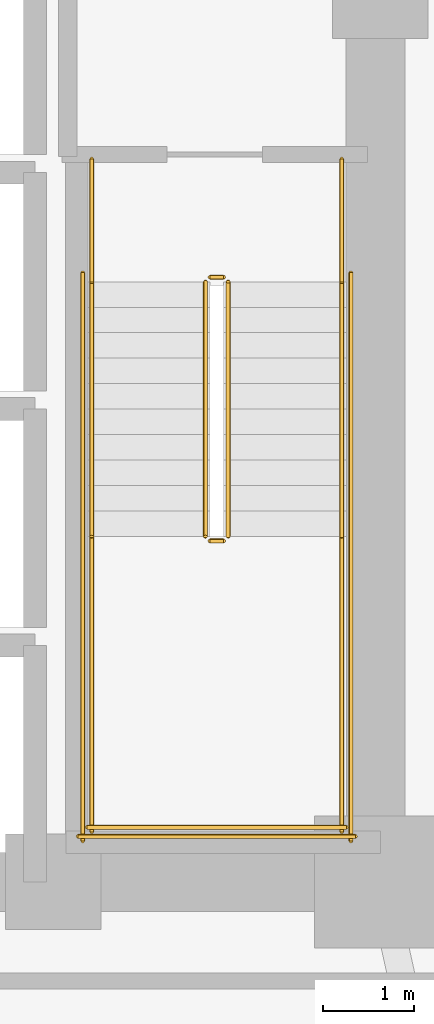
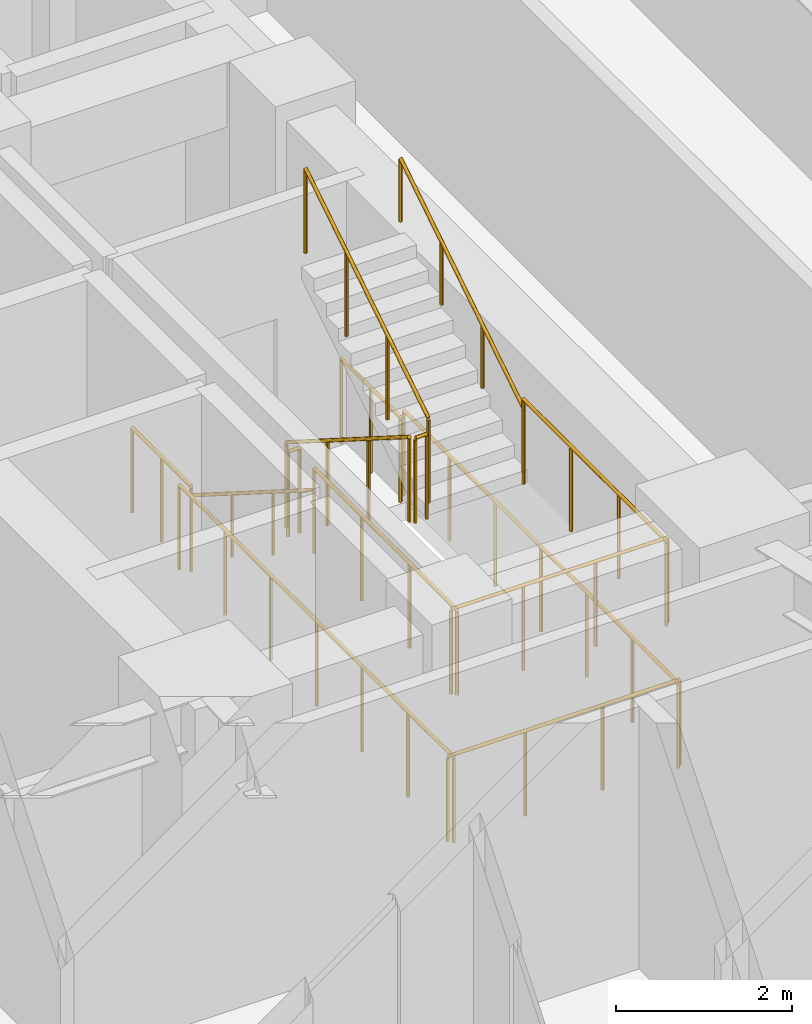
# One storey, part 11 of 11: 14 railings.
"""IFC4 building model written with IfcOpenShell, lengths in metres."""

import ifcopenshell
import ifcopenshell.guid

model = None  # the IFC model being written
_history = None  # IfcOwnerHistory: only IFC2X3 demands one
_inside = {}  # id of a spatial element -> (the spatial element, [elements in it])
_under = {}  # id of a project, library or spatial element -> (it, [spatial elements below it])
_declared = {}  # id of a project -> (the project, [libraries it declares])
_typed = {}  # id of a type object -> (the type object, [elements of that type])
_made_of = {}  # id of a material, layer set ... -> (it, [elements and type objects made of it])


def new_model(schema):
    """Start an empty IFC model of exactly this schema.

    Asked for "IFC4X3", IfcOpenShell would pick the latest addendum, in which some entities
    have other attributes; the version numbers below select the first issue.
    IFC2X3 requires an IfcOwnerHistory on every rooted entity: one is made here for all.
    """
    global model, _history
    if schema == "IFC4X3":
        model = ifcopenshell.file(schema_version=(4, 3, 0, 0))
    else:
        model = ifcopenshell.file(schema=schema)
    _inside.clear()
    _under.clear()
    _declared.clear()
    _typed.clear()
    _made_of.clear()
    _history = None
    if model.schema == "IFC2X3":
        org = make("IfcOrganization", Name="unknown")
        user = make(
            "IfcPersonAndOrganization",
            ThePerson=make("IfcPerson", FamilyName="unknown"),
            TheOrganization=org,
        )
        app = make(
            "IfcApplication",
            ApplicationDeveloper=org,
            Version="unknown",
            ApplicationFullName="unknown",
            ApplicationIdentifier="unknown",
        )
        _history = make(
            "IfcOwnerHistory",
            OwningUser=user,
            OwningApplication=app,
            ChangeAction="ADDED",
            CreationDate=0,
        )
    return model


def make(cls, **values):
    """One entity of the class cls with the attributes given. An attribute that is None is left unset."""
    return model.create_entity(
        cls, **{name: value for name, value in values.items() if value is not None}
    )


def rooted(cls, **values):
    """An entity with a GlobalId (a new one), such as an element, a storey or a relation."""
    return make(cls, GlobalId=ifcopenshell.guid.new(), OwnerHistory=_history, **values)


def si_unit(unit_type, name, prefix=None):
    """IfcSIUnit, for example si_unit("LENGTHUNIT", "METRE", prefix="MILLI")."""
    return make("IfcSIUnit", UnitType=unit_type, Prefix=prefix, Name=name)


def assignment(units):
    """IfcUnitAssignment: the units of a project."""
    return None if units is None else make("IfcUnitAssignment", Units=units)


def point(xyz):
    """IfcCartesianPoint."""
    return None if xyz is None else make("IfcCartesianPoint", Coordinates=xyz)


def direction(xyz):
    """IfcDirection."""
    return None if xyz is None else make("IfcDirection", DirectionRatios=xyz)


def frame(location, z_axis=None, x_axis=None):
    """IfcAxis2Placement3D, a coordinate frame: its origin and axes. An axis left out is left unset."""
    return make(
        "IfcAxis2Placement3D",
        Location=point(location),
        Axis=direction(z_axis),
        RefDirection=direction(x_axis),
    )


def frame_2d(location, x_axis=None):
    """IfcAxis2Placement2D, a coordinate frame in the plane: its origin and x axis."""
    return make(
        "IfcAxis2Placement2D", Location=point(location), RefDirection=direction(x_axis)
    )


def origin():
    """The frame at (0, 0, 0) with its axes left unset."""
    return frame((0.0, 0.0, 0.0))


def origin_2d():
    """The frame at (0, 0) in the plane with its x axis left unset."""
    return frame_2d((0.0, 0.0))


def place(relative_to, where):
    """IfcLocalPlacement: puts the frame where relative to a parent placement (None: the world)."""
    return make(
        "IfcLocalPlacement", PlacementRelTo=relative_to, RelativePlacement=where
    )


def context(
    kind, dimensions, precision=None, world=None, true_north=None, identifier=None
):
    """IfcGeometricRepresentationContext, for example the 3D "Model" context."""
    return make(
        "IfcGeometricRepresentationContext",
        ContextIdentifier=identifier,
        ContextType=kind,
        CoordinateSpaceDimension=dimensions,
        Precision=precision,
        WorldCoordinateSystem=world,
        TrueNorth=true_north,
    )


def subcontext(parent, identifier, kind, view, scale=None):
    """IfcGeometricRepresentationSubContext, for example "Body" below "Model"."""
    return make(
        "IfcGeometricRepresentationSubContext",
        ContextIdentifier=identifier,
        ContextType=kind,
        ParentContext=parent,
        TargetScale=scale,
        TargetView=view,
    )


def project(units=None, contexts=None):
    """IfcProject with its units and contexts."""
    return rooted(
        "IfcProject",
        Name="project",
        RepresentationContexts=contexts,
        UnitsInContext=assignment(units),
    )


def spatial(cls, under=None, at=None, **own):
    """A site, building, storey or space (cls), placed at a placement, below another one or the project."""
    s = rooted(cls, ObjectPlacement=at, **own)
    if under is not None:
        _under.setdefault(under.id(), (under, []))[1].append(s)
    return s


def profile(cls, at=None, kind="AREA", **sizes):
    """A parametric profile (cls). Its sizes go by their IFC names, for example OverallWidth=200.0."""
    return make(cls, ProfileType=kind, Position=at, **sizes)


def circle(**sizes):
    """IfcCircleProfileDef."""
    return profile("IfcCircleProfileDef", **sizes)


def extrude(swept, where, along, depth):
    """IfcExtrudedAreaSolid: the profile swept, set in the frame where, extruded along a direction by depth."""
    return make(
        "IfcExtrudedAreaSolid",
        SweptArea=swept,
        Position=where,
        ExtrudedDirection=direction(along),
        Depth=depth,
    )


def shape(context_of_items, identifier, shape_type, items):
    """IfcShapeRepresentation: the items that make up one representation, for example the "Body"."""
    return make(
        "IfcShapeRepresentation",
        ContextOfItems=context_of_items,
        RepresentationIdentifier=identifier,
        RepresentationType=shape_type,
        Items=items,
    )


def material(Name=None, Category=None):
    """IfcMaterial."""
    return make("IfcMaterial", Name=Name, Category=Category)


def made_of(thing, what):
    """Note that an element or type object is made of a material, layer set ...; save() writes the relation."""
    if what is not None:
        _made_of.setdefault(what.id(), (what, []))[1].append(thing)
    return thing


def type_object(cls, material=None, **own):
    """A type object (cls), such as IfcWallType, which elements share."""
    return made_of(rooted(cls, **own), material)


def element(
    cls,
    number,
    at=None,
    inside=None,
    cuts=None,
    type_object=None,
    material=None,
    context=None,
    identifier="Body",
    shape_type=None,
    held_by="IfcProductDefinitionShape",
    body=None,
    shapes=None,
    **own,
):
    """One element of the class cls, such as IfcWall. Its Tag is "e" and its number.

    at: its placement. inside: the storey or other place that contains it. cuts: it is an
    opening in that element (IfcRelVoidsElement). A single representation is given by context,
    identifier, shape_type and body (its items); several are given by shapes. held_by: the class
    of the entity that holds the representations. save() writes the other relations.
    """
    e = rooted(cls, Tag="e%d" % number, ObjectPlacement=at, **own)
    if body is not None:
        shapes = [shape(context, identifier, shape_type, body)]
    if shapes is not None:
        e.Representation = make(held_by, Representations=shapes)
    if inside is not None:
        _inside.setdefault(inside.id(), (inside, []))[1].append(e)
    if cuts is not None:
        rooted(
            "IfcRelVoidsElement", RelatingBuildingElement=cuts, RelatedOpeningElement=e
        )
    if type_object is not None:
        _typed.setdefault(type_object.id(), (type_object, []))[1].append(e)
    return made_of(e, material)


def aggregate(whole, parts):
    """IfcRelAggregates: a whole, such as a stair, and the parts it consists of."""
    return rooted("IfcRelAggregates", RelatingObject=whole, RelatedObjects=parts)


def save(model, path):
    """Write the relations noted so far, then the file.

    IfcRelAggregates (storeys below a building ...), IfcRelContainedInSpatialStructure (elements
    in a storey), IfcRelDefinesByType, IfcRelAssociatesMaterial and IfcRelDeclares: one each for
    every whole, place, type object, material and project.
    """
    for whole, parts in _under.values():
        aggregate(whole, parts)
    for where, things in _inside.values():
        rooted(
            "IfcRelContainedInSpatialStructure",
            RelatedElements=things,
            RelatingStructure=where,
        )
    for kind, things in _typed.values():
        rooted("IfcRelDefinesByType", RelatedObjects=things, RelatingType=kind)
    for what, things in _made_of.values():
        rooted("IfcRelAssociatesMaterial", RelatedObjects=things, RelatingMaterial=what)
    for by, libraries in _declared.values():
        rooted("IfcRelDeclares", RelatingContext=by, RelatedDefinitions=libraries)
    model.write(path)


model = new_model("IFC4")

# Units and contexts
model_context = context("Model", 3, precision=1e-05, world=origin(), true_north=direction((0.0, 1.0)))
body_context = subcontext(model_context, "Body", "Model", "MODEL_VIEW")
ifc_project = project(units=[si_unit("LENGTHUNIT", "METRE"), si_unit("AREAUNIT", "SQUARE_METRE"), si_unit("VOLUMEUNIT", "CUBIC_METRE"), si_unit("PLANEANGLEUNIT", "RADIAN"), si_unit("MASSUNIT", "GRAM", prefix="KILO")], contexts=[model_context])

# Site, building, storey
site_placement = place(None, origin())
site = spatial("IfcSite", under=ifc_project, at=site_placement, CompositionType="ELEMENT")
building_placement = place(site_placement, origin())
building = spatial("IfcBuilding", under=site, at=building_placement, Name="Voryun Gate Residences", CompositionType="ELEMENT")
storey_placement = place(building_placement, frame((0.0, 0.0, 45.5)))
storey = spatial("IfcBuildingStorey", under=building, at=storey_placement, Name="L10", CompositionType="ELEMENT", Elevation=45.5)

# Railings
ifc_material_1 = material(Name="Painted steel", Category="steel")
railing_type_1 = type_object("IfcRailingType", Name="RAIL_STAIR_GUARD_1200", PredefinedType="GUARDRAIL", material=ifc_material_1)
railing_1_placement = place(storey_placement, frame((17.27490234375, -0.800048828125, 0.17724609375)))
element("IfcRailing", 1, at=railing_1_placement, inside=storey, type_object=railing_type_1, Name="L10 ST-E1 stair guard 1", PredefinedType="GUARDRAIL", context=body_context, shape_type="SweptSolid", body=[
    extrude(circle(Radius=0.02392578125, at=origin_2d()), frame((0.0, 0.0, 1.17578125), z_axis=(0.0, -0.844908973607, 0.534910110503), x_axis=(1.0, 0.0, 0.0)), (0.0, 0.0, 1.0), 3.31396484375),
    extrude(circle(Radius=0.02099609375, at=origin_2d()), origin(), (0.0, 0.0, 1.0), 1.15185546875),
    extrude(circle(Radius=0.02099609375, at=origin_2d()), frame((0.0, -0.933349609375, 0.5908203125)), (0.0, 0.0, 1.0), 1.15185546875),
    extrude(circle(Radius=0.02099609375, at=origin_2d()), frame((0.0, -1.86669921875, 1.181884765625)), (0.0, 0.0, 1.0), 1.15185546875),
    extrude(circle(Radius=0.02099609375, at=origin_2d()), frame((0.0, -2.800048828125, 1.772705078125)), (0.0, 0.0, 1.0), 1.15185546875),
])
railing_2_placement = place(storey_placement, frame((17.324951171875, -3.64990234375, 1.949951171875)))
element("IfcRailing", 2, at=railing_2_placement, inside=storey, type_object=railing_type_1, Name="L10 ST-E1 stair guard 2", PredefinedType="GUARDRAIL", context=body_context, shape_type="SweptSolid", body=[
    extrude(circle(Radius=0.02392578125, at=origin_2d()), frame((0.0, 0.0, 1.17578125), z_axis=(1.0, 0.0, 0.0), x_axis=(0.0, 1.0, 0.0)), (0.0, 0.0, 1.0), 0.150146484375),
    extrude(circle(Radius=0.02099609375, at=origin_2d()), origin(), (0.0, 0.0, 1.0), 1.15185546875),
    extrude(circle(Radius=0.02099609375, at=origin_2d()), frame((0.150146484375, 0.0, 0.0)), (0.0, 0.0, 1.0), 1.15185546875),
])
for number, where, name in (
    (3, (16.02490234375, -3.60009765625, 1.949951171875), "L10 ST-E1 stair guard 3"),
    (4, (18.77490234375, -3.60009765625, 1.949951171875), "L10 ST-E1 stair guard 4"),
):
    element("IfcRailing", number, at=place(storey_placement, frame(where)), inside=storey, type_object=railing_type_1, Name=name, PredefinedType="GUARDRAIL", context=body_context, shape_type="SweptSolid", body=[
        extrude(circle(Radius=0.02392578125, at=origin_2d()), frame((0.0, 0.0, 1.17578125), z_axis=(0.0, -1.0, 0.0), x_axis=(1.0, 0.0, 0.0)), (0.0, 0.0, 1.0), 3.25),
        extrude(circle(Radius=0.02099609375, at=origin_2d()), origin(), (0.0, 0.0, 1.0), 1.15185546875),
        extrude(circle(Radius=0.02099609375, at=origin_2d()), frame((0.0, -1.083251953125, 0.0)), (0.0, 0.0, 1.0), 1.15185546875),
        extrude(circle(Radius=0.02099609375, at=origin_2d()), frame((0.0, -2.166748046875, 0.0)), (0.0, 0.0, 1.0), 1.15185546875),
        extrude(circle(Radius=0.02099609375, at=origin_2d()), frame((0.0, -3.25, 0.0)), (0.0, 0.0, 1.0), 1.15185546875),
    ])
railing_3_placement = place(storey_placement, frame((15.97509765625, -6.800048828125, 1.949951171875)))
element("IfcRailing", 5, at=railing_3_placement, inside=storey, type_object=railing_type_1, Name="L10 ST-E1 stair guard 5", PredefinedType="GUARDRAIL", context=body_context, shape_type="SweptSolid", body=[
    extrude(circle(Radius=0.02392578125, at=origin_2d()), frame((0.0, 0.0, 1.17578125), z_axis=(1.0, 0.0, 0.0), x_axis=(0.0, 1.0, 0.0)), (0.0, 0.0, 1.0), 2.849853515625),
    extrude(circle(Radius=0.02099609375, at=origin_2d()), origin(), (0.0, 0.0, 1.0), 1.15185546875),
    extrude(circle(Radius=0.02099609375, at=origin_2d()), frame((0.949951171875, 0.0, 0.0)), (0.0, 0.0, 1.0), 1.15185546875),
    extrude(circle(Radius=0.02099609375, at=origin_2d()), frame((1.89990234375, 0.0, 0.0)), (0.0, 0.0, 1.0), 1.15185546875),
    extrude(circle(Radius=0.02099609375, at=origin_2d()), frame((2.849853515625, 0.0, 0.0)), (0.0, 0.0, 1.0), 1.15185546875),
])
railing_4_placement = place(storey_placement, frame((17.52490234375, -3.60009765625, 2.127197265625)))
element("IfcRailing", 6, at=railing_4_placement, inside=storey, type_object=railing_type_1, Name="L10 ST-E1 stair guard 6", PredefinedType="GUARDRAIL", context=body_context, shape_type="SweptSolid", body=[
    extrude(circle(Radius=0.02392578125, at=origin_2d()), frame((0.0, 0.0, 1.17578125), z_axis=(0.0, 0.844908973607, 0.534910110503), x_axis=(-1.0, 0.0, 0.0)), (0.0, 0.0, 1.0), 3.31396484375),
    extrude(circle(Radius=0.02099609375, at=origin_2d()), origin(), (0.0, 0.0, 1.0), 1.15185546875),
    extrude(circle(Radius=0.02099609375, at=origin_2d()), frame((0.0, 0.933349609375, 0.5908203125)), (0.0, 0.0, 1.0), 1.15185546875),
    extrude(circle(Radius=0.02099609375, at=origin_2d()), frame((0.0, 1.86669921875, 1.181884765625)), (0.0, 0.0, 1.0), 1.15185546875),
    extrude(circle(Radius=0.02099609375, at=origin_2d()), frame((0.0, 2.800048828125, 1.772705078125)), (0.0, 0.0, 1.0), 1.15185546875),
])
railing_5_placement = place(storey_placement, frame((17.324951171875, -0.75, 0.0)))
element("IfcRailing", 7, at=railing_5_placement, inside=storey, type_object=railing_type_1, Name="L10 ST-E1 stair guard 7", PredefinedType="GUARDRAIL", context=body_context, shape_type="SweptSolid", body=[
    extrude(circle(Radius=0.02392578125, at=origin_2d()), frame((0.0, 0.0, 1.17578125), z_axis=(1.0, 0.0, 0.0), x_axis=(0.0, 1.0, 0.0)), (0.0, 0.0, 1.0), 0.150146484375),
    extrude(circle(Radius=0.02099609375, at=origin_2d()), origin(), (0.0, 0.0, 1.0), 1.15185546875),
    extrude(circle(Radius=0.02099609375, at=origin_2d()), frame((0.150146484375, 0.0, 0.0)), (0.0, 0.0, 1.0), 1.15185546875),
])
for number, where, name in (
    (8, (16.02490234375, 0.550048828125, 0.0), "L10 ST-E1 stair guard 8"),
    (9, (18.77490234375, 0.550048828125, 0.0), "L10 ST-E1 stair guard 9"),
):
    element("IfcRailing", number, at=place(storey_placement, frame(where)), inside=storey, type_object=railing_type_1, Name=name, PredefinedType="GUARDRAIL", context=body_context, shape_type="SweptSolid", body=[
        extrude(circle(Radius=0.02392578125, at=origin_2d()), frame((0.0, 0.0, 1.17578125), z_axis=(0.0, -1.0, 0.0), x_axis=(1.0, 0.0, 0.0)), (0.0, 0.0, 1.0), 1.35009765625),
        extrude(circle(Radius=0.02099609375, at=origin_2d()), origin(), (0.0, 0.0, 1.0), 1.15185546875),
        extrude(circle(Radius=0.02099609375, at=origin_2d()), frame((0.0, -0.675048828125, 0.0)), (0.0, 0.0, 1.0), 1.15185546875),
        extrude(circle(Radius=0.02099609375, at=origin_2d()), frame((0.0, -1.35009765625, 0.0)), (0.0, 0.0, 1.0), 1.15185546875),
    ])
for number, where, name in (
    (10, (15.925048828125, -0.699951171875, 0.0), "L10 ST-E1 stair guard 10"),
    (11, (18.875, -0.699951171875, 0.0), "L10 ST-E1 stair guard 11"),
):
    element("IfcRailing", number, at=place(storey_placement, frame(where)), inside=storey, type_object=railing_type_1, Name=name, PredefinedType="GUARDRAIL", context=body_context, shape_type="SweptSolid", body=[
        extrude(circle(Radius=0.02392578125, at=origin_2d()), frame((0.0, 0.0, 1.17578125), z_axis=(0.0, -1.0, 0.0), x_axis=(1.0, 0.0, 0.0)), (0.0, 0.0, 1.0), 6.25),
        extrude(circle(Radius=0.02099609375, at=origin_2d()), origin(), (0.0, 0.0, 1.0), 1.15185546875),
        extrude(circle(Radius=0.02099609375, at=origin_2d()), frame((0.0, -1.041748046875, 0.0)), (0.0, 0.0, 1.0), 1.15185546875),
        extrude(circle(Radius=0.02099609375, at=origin_2d()), frame((0.0, -2.083251953125, 0.0)), (0.0, 0.0, 1.0), 1.15185546875),
        extrude(circle(Radius=0.02099609375, at=origin_2d()), frame((0.0, -3.125, 0.0)), (0.0, 0.0, 1.0), 1.15185546875),
        extrude(circle(Radius=0.02099609375, at=origin_2d()), frame((0.0, -4.166748046875, 0.0)), (0.0, 0.0, 1.0), 1.15185546875),
        extrude(circle(Radius=0.02099609375, at=origin_2d()), frame((0.0, -5.208251953125, 0.0)), (0.0, 0.0, 1.0), 1.15185546875),
        extrude(circle(Radius=0.02099609375, at=origin_2d()), frame((0.0, -6.25, 0.0)), (0.0, 0.0, 1.0), 1.15185546875),
    ])
railing_6_placement = place(storey_placement, frame((15.875, -6.89990234375, 0.0)))
element("IfcRailing", 12, at=railing_6_placement, inside=storey, type_object=railing_type_1, Name="L10 ST-E1 stair guard 12", PredefinedType="GUARDRAIL", context=body_context, shape_type="SweptSolid", body=[
    extrude(circle(Radius=0.02392578125, at=origin_2d()), frame((0.0, 0.0, 1.17578125), z_axis=(1.0, 0.0, 0.0), x_axis=(0.0, 1.0, 0.0)), (0.0, 0.0, 1.0), 3.050048828125),
    extrude(circle(Radius=0.02099609375, at=origin_2d()), origin(), (0.0, 0.0, 1.0), 1.15185546875),
    extrude(circle(Radius=0.02099609375, at=origin_2d()), frame((1.0166015625, 0.0, 0.0)), (0.0, 0.0, 1.0), 1.15185546875),
    extrude(circle(Radius=0.02099609375, at=origin_2d()), frame((2.033447265625, 0.0, 0.0)), (0.0, 0.0, 1.0), 1.15185546875),
    extrude(circle(Radius=0.02099609375, at=origin_2d()), frame((3.050048828125, 0.0, 0.0)), (0.0, 0.0, 1.0), 1.15185546875),
])
ifc_material_2 = material(Name="Painted steel", Category="steel")
railing_type_2 = type_object("IfcRailingType", Name="RAIL_STAIR_HANDRAIL_900", PredefinedType="HANDRAIL", material=ifc_material_2)
railing_7_placement = place(storey_placement, frame((16.02490234375, -0.800048828125, 0.17724609375)))
element("IfcRailing", 13, at=railing_7_placement, inside=storey, type_object=railing_type_2, Name="L10 ST-E1 stair handrail 1", PredefinedType="HANDRAIL", context=body_context, shape_type="SweptSolid", body=[
    extrude(circle(Radius=0.02392578125, at=origin_2d()), frame((0.0, 0.0, 0.8759765625), z_axis=(0.0, -0.844908973607, 0.534910110503), x_axis=(1.0, 0.0, 0.0)), (0.0, 0.0, 1.0), 3.31396484375),
    extrude(circle(Radius=0.02099609375, at=origin_2d()), origin(), (0.0, 0.0, 1.0), 0.851806640625),
    extrude(circle(Radius=0.02099609375, at=origin_2d()), frame((0.0, -0.933349609375, 0.5908203125)), (0.0, 0.0, 1.0), 0.851806640625),
    extrude(circle(Radius=0.02099609375, at=origin_2d()), frame((0.0, -1.86669921875, 1.181884765625)), (0.0, 0.0, 1.0), 0.851806640625),
    extrude(circle(Radius=0.02099609375, at=origin_2d()), frame((0.0, -2.800048828125, 1.772705078125)), (0.0, 0.0, 1.0), 0.851806640625),
])
railing_8_placement = place(storey_placement, frame((18.77490234375, -3.60009765625, 2.127197265625)))
element("IfcRailing", 14, at=railing_8_placement, inside=storey, type_object=railing_type_2, Name="L10 ST-E1 stair handrail 2", PredefinedType="HANDRAIL", context=body_context, shape_type="SweptSolid", body=[
    extrude(circle(Radius=0.02392578125, at=origin_2d()), frame((0.0, 0.0, 0.8759765625), z_axis=(0.0, 0.844908973607, 0.534910110503), x_axis=(-1.0, 0.0, 0.0)), (0.0, 0.0, 1.0), 3.31396484375),
    extrude(circle(Radius=0.02099609375, at=origin_2d()), origin(), (0.0, 0.0, 1.0), 0.851806640625),
    extrude(circle(Radius=0.02099609375, at=origin_2d()), frame((0.0, 0.933349609375, 0.5908203125)), (0.0, 0.0, 1.0), 0.851806640625),
    extrude(circle(Radius=0.02099609375, at=origin_2d()), frame((0.0, 1.86669921875, 1.181884765625)), (0.0, 0.0, 1.0), 0.851806640625),
    extrude(circle(Radius=0.02099609375, at=origin_2d()), frame((0.0, 2.800048828125, 1.772705078125)), (0.0, 0.0, 1.0), 0.851806640625),
])

save(model, "model.ifc")
